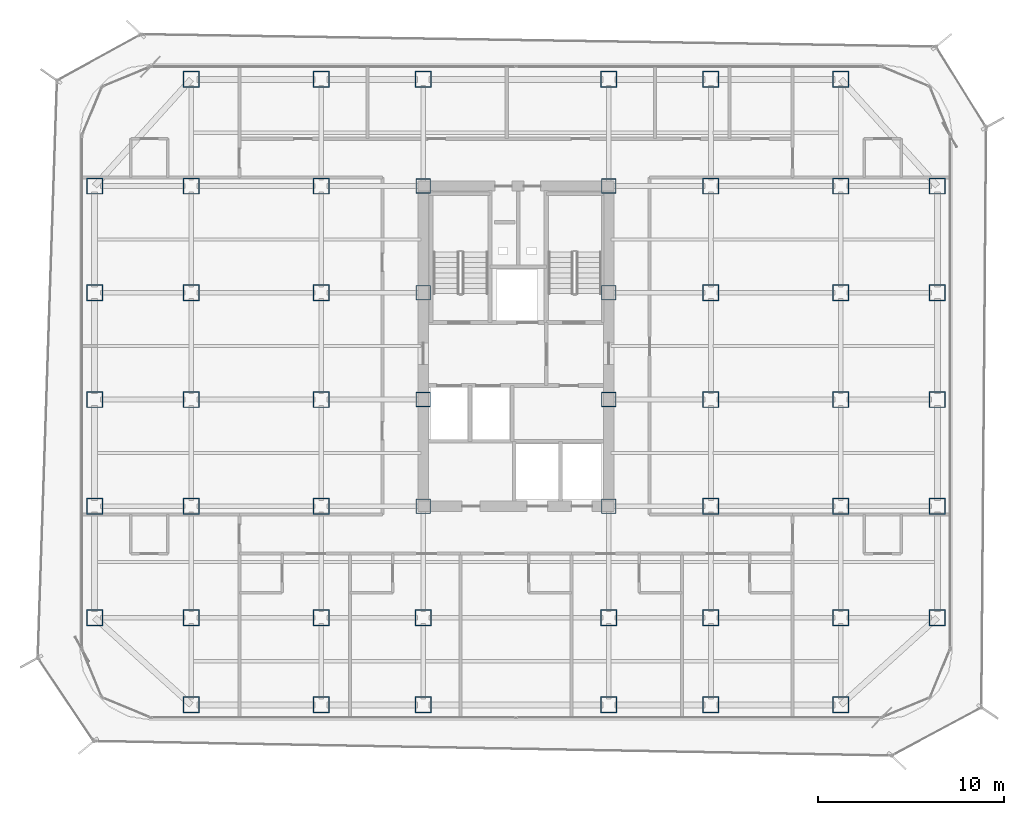
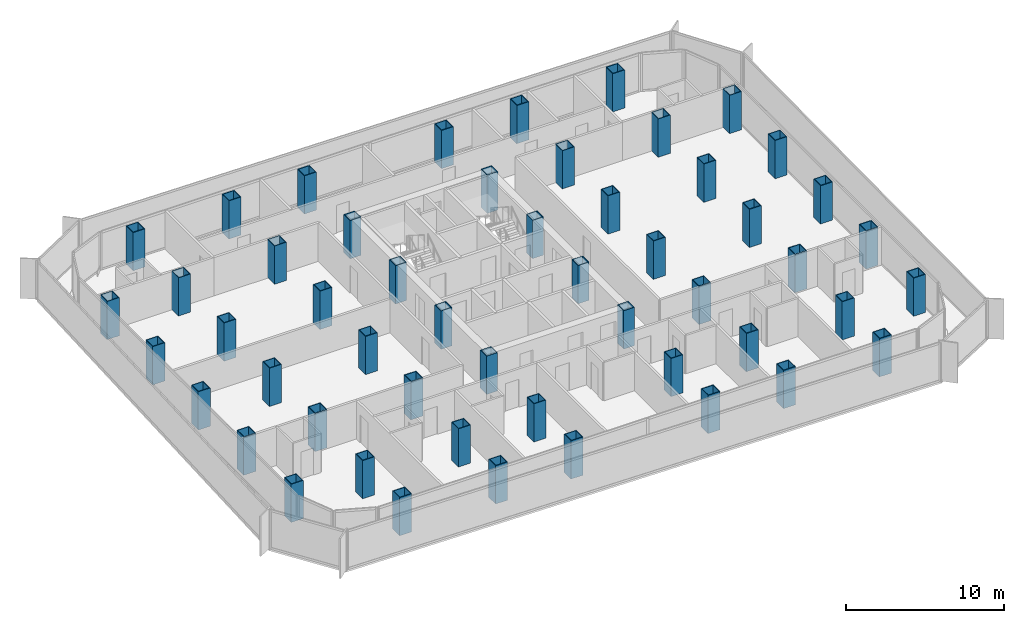
# One storey, part 1 of 21: 52 columns.
"""IFC4 building model written with IfcOpenShell, lengths in metres."""

from ifc_helpers import new_model, si_unit, direction, frame, origin, origin_2d, place, context, subcontext, project, spatial, hollow_rectangle, extrude, source, transform, mapped, material, material_profile, profile_set, type_object, element, save


model = new_model("IFC4")

# Units and contexts
model_context = context("Model", 3, precision=1e-05, world=origin(), true_north=direction((0.0, 1.0)))
body_context = subcontext(model_context, "Body", "Model", "MODEL_VIEW")
ifc_project = project(units=[si_unit("LENGTHUNIT", "METRE"), si_unit("AREAUNIT", "SQUARE_METRE"), si_unit("VOLUMEUNIT", "CUBIC_METRE"), si_unit("PLANEANGLEUNIT", "RADIAN"), si_unit("MASSUNIT", "GRAM", prefix="KILO")], contexts=[model_context])

# Site, building, storey
site_placement = place(None, origin())
site = spatial("IfcSite", under=ifc_project, at=site_placement, CompositionType="ELEMENT")
building_placement = place(site_placement, origin())
building = spatial("IfcBuilding", under=site, at=building_placement, Name="Kolveth Station Tower", CompositionType="ELEMENT")
storey_placement = place(building_placement, frame((0.0, 0.0, 111.89990234375)))
storey = spatial("IfcBuildingStorey", under=building, at=storey_placement, Name="L30", CompositionType="ELEMENT", Elevation=111.89990234375)

# Columns
ifc_material_1 = material(Name="Steel S460", Category="steel")
ifc_material_profile_1 = material_profile(ifc_material_1, hollow_rectangle(XDim=0.8798828125, YDim=0.8798828125, WallThickness=0.050048828125, at=origin_2d()), Name="BOX880x880x50")
ifc_profile_set_1 = profile_set([ifc_material_profile_1], Name="Steel S460")
column_type_1 = type_object("IfcColumnType", Name="Col_C4", PredefinedType="COLUMN", material=ifc_profile_set_1)
shared_shape_1 = source(origin(), body_context, "Body", "SweptSolid", [
    extrude(hollow_rectangle(XDim=0.8798828125, YDim=0.8798828125, WallThickness=0.050048828125, at=origin_2d()), origin(), (0.0, 0.0, 1.0), 2.9501953125),
])
for number, where, z_axis, x_axis, name in (
    (1, (6.0, 0.800048828125, 0.0), (0.0, 0.0, 1.0), (1.0, 0.0, 0.0), "L30 Tower Column S-X60"),
    (2, (6.0, 34.5, 0.0), (0.0, 0.0, 1.0), (1.0, 0.0, 0.0), "L30 Tower Column N-X60"),
    (3, (13.0, 0.800048828125, 0.0), (0.0, 0.0, 1.0), (1.0, 0.0, 0.0), "L30 Tower Column S-X130"),
    (4, (13.0, 34.5, 0.0), (0.0, 0.0, 1.0), (1.0, 0.0, 0.0), "L30 Tower Column N-X130"),
    (5, (18.5, 0.800048828125, 0.0), (0.0, 0.0, 1.0), (1.0, 0.0, 0.0), "L30 Tower Column S-X185"),
    (6, (18.5, 34.5, 0.0), (0.0, 0.0, 1.0), (1.0, 0.0, 0.0), "L30 Tower Column N-X185"),
    (7, (28.5, 0.800048828125, 0.0), (0.0, 0.0, 1.0), (1.0, 0.0, 0.0), "L30 Tower Column S-X285"),
    (8, (28.5, 34.5, 0.0), (0.0, 0.0, 1.0), (1.0, 0.0, 0.0), "L30 Tower Column N-X285"),
    (9, (34.0, 0.800048828125, 0.0), (0.0, 0.0, 1.0), (1.0, 0.0, 0.0), "L30 Tower Column S-X340"),
    (10, (34.0, 34.5, 0.0), (0.0, 0.0, 1.0), (1.0, 0.0, 0.0), "L30 Tower Column N-X340"),
    (11, (41.0, 0.800048828125, 0.0), (0.0, 0.0, 1.0), (1.0, 0.0, 0.0), "L30 Tower Column S-X410"),
    (12, (41.0, 34.5, 0.0), (0.0, 0.0, 1.0), (1.0, 0.0, 0.0), "L30 Tower Column N-X410"),
    (13, (0.800048828125, 5.5, 0.0), (0.0, 0.0, 1.0), (1.0, 0.0, 0.0), "L30 Tower Column W-Y55"),
    (14, (46.199951171875, 5.5, 0.0), (0.0, 0.0, 1.0), (1.0, 0.0, 0.0), "L30 Tower Column E-Y55"),
    (15, (0.800048828125, 11.5, 0.0), (0.0, 0.0, 1.0), (1.0, 0.0, 0.0), "L30 Tower Column W-Y115"),
    (16, (46.199951171875, 11.5, 0.0), (0.0, 0.0, 1.0), (1.0, 0.0, 0.0), "L30 Tower Column E-Y115"),
    (17, (0.800048828125, 17.25, 0.0), (0.0, 0.0, 1.0), (1.0, 0.0, 0.0), "L30 Tower Column W-Y172"),
    (18, (46.199951171875, 17.25, 0.0), (0.0, 0.0, 1.0), (1.0, 0.0, 0.0), "L30 Tower Column E-Y172"),
    (19, (0.800048828125, 23.0, 0.0), (0.0, 0.0, 1.0), (1.0, 0.0, 0.0), "L30 Tower Column W-Y230"),
    (20, (46.199951171875, 23.0, 0.0), (0.0, 0.0, 1.0), (1.0, 0.0, 0.0), "L30 Tower Column E-Y230"),
    (21, (0.800048828125, 28.75, 0.0), (0.0, 0.0, 1.0), (1.0, 0.0, 0.0), "L30 Tower Column W-Y287"),
    (22, (46.199951171875, 28.75, 0.0), (0.0, 0.0, 1.0), (1.0, 0.0, 0.0), "L30 Tower Column E-Y287"),
    (23, (6.0, 5.5, 0.0), (0.0, 0.0, 1.0), (1.0, 0.0, 0.0), "L30 Tower Column G-60-55"),
    (24, (6.0, 11.5, 0.0), (0.0, 0.0, 1.0), (1.0, 0.0, 0.0), "L30 Tower Column G-60-115"),
    (25, (6.0, 17.25, 0.0), (0.0, 0.0, 1.0), (1.0, 0.0, 0.0), "L30 Tower Column G-60-172"),
    (26, (6.0, 23.0, 0.0), (0.0, 0.0, 1.0), (1.0, 0.0, 0.0), "L30 Tower Column G-60-230"),
    (27, (6.0, 28.75, 0.0), (0.0, 0.0, 1.0), (1.0, 0.0, 0.0), "L30 Tower Column G-60-287"),
    (28, (13.0, 5.5, 0.0), (0.0, 0.0, 1.0), (1.0, 0.0, 0.0), "L30 Tower Column G-130-55"),
    (29, (13.0, 11.5, 0.0), (0.0, 0.0, 1.0), (1.0, 0.0, 0.0), "L30 Tower Column G-130-115"),
    (30, (13.0, 17.25, 0.0), (0.0, 0.0, 1.0), (1.0, 0.0, 0.0), "L30 Tower Column G-130-172"),
    (31, (13.0, 23.0, 0.0), (0.0, 0.0, 1.0), (1.0, 0.0, 0.0), "L30 Tower Column G-130-230"),
    (32, (13.0, 28.75, 0.0), (0.0, 0.0, 1.0), (1.0, 0.0, 0.0), "L30 Tower Column G-130-287"),
    (33, (18.5, 5.5, 0.0), (0.0, 0.0, 1.0), (1.0, 0.0, 0.0), "L30 Tower Column G-185-55"),
    (34, (28.5, 5.5, 0.0), (0.0, 0.0, 1.0), (1.0, 0.0, 0.0), "L30 Tower Column G-285-55"),
    (35, (34.0, 5.5, 0.0), (0.0, 0.0, 1.0), (1.0, 0.0, 0.0), "L30 Tower Column G-340-55"),
    (36, (34.0, 11.5, 0.0), (0.0, 0.0, 1.0), (1.0, 0.0, 0.0), "L30 Tower Column G-340-115"),
    (37, (34.0, 17.25, 0.0), (0.0, 0.0, 1.0), (1.0, 0.0, 0.0), "L30 Tower Column G-340-172"),
    (38, (34.0, 23.0, 0.0), (0.0, 0.0, 1.0), (1.0, 0.0, 0.0), "L30 Tower Column G-340-230"),
    (39, (34.0, 28.75, 0.0), (0.0, 0.0, 1.0), (1.0, 0.0, 0.0), "L30 Tower Column G-340-287"),
    (40, (41.0, 5.5, 0.0), (0.0, 0.0, 1.0), (1.0, 0.0, 0.0), "L30 Tower Column G-410-55"),
    (41, (41.0, 11.5, 0.0), (0.0, 0.0, 1.0), (1.0, 0.0, 0.0), "L30 Tower Column G-410-115"),
    (42, (41.0, 17.25, 0.0), (0.0, 0.0, 1.0), (1.0, 0.0, 0.0), "L30 Tower Column G-410-172"),
    (43, (41.0, 23.0, 0.0), (0.0, 0.0, 1.0), (1.0, 0.0, 0.0), "L30 Tower Column G-410-230"),
    (44, (41.0, 28.75, 0.0), (0.0, 0.0, 1.0), (1.0, 0.0, 0.0), "L30 Tower Column G-410-287"),
):
    element("IfcColumn", number, at=place(storey_placement, frame(where, z_axis=z_axis, x_axis=x_axis)), inside=storey, type_object=column_type_1, Name=name, PredefinedType="COLUMN", context=body_context, shape_type="MappedRepresentation", body=[
        mapped(shared_shape_1, transform((0.0, 0.0, 0.0), x_axis=(1.0, 0.0, 0.0), y_axis=(0.0, 1.0, 0.0), z_axis=(0.0, 0.0, 1.0), scale=1.0)),
    ])
ifc_material_2 = material(Name="Steel S355", Category="steel")
ifc_material_profile_2 = material_profile(ifc_material_2, hollow_rectangle(XDim=0.800048828125, YDim=0.800048828125, WallThickness=0.044921875, at=origin_2d()), Name="BOX800x800x45")
ifc_profile_set_2 = profile_set([ifc_material_profile_2], Name="Steel S355")
column_type_2 = type_object("IfcColumnType", Name="Col_C5", PredefinedType="COLUMN", material=ifc_profile_set_2)
shared_shape_2 = source(origin(), body_context, "Body", "SweptSolid", [
    extrude(hollow_rectangle(XDim=0.800048828125, YDim=0.800048828125, WallThickness=0.044921875, at=origin_2d()), origin(), (0.0, 0.0, 1.0), 2.9501953125),
])
for number, where, z_axis, x_axis, name in (
    (45, (18.5, 11.5, 0.0), (0.0, 0.0, 1.0), (1.0, 0.0, 0.0), "L30 Tower Column G-185-115"),
    (46, (18.5, 17.25, 0.0), (0.0, 0.0, 1.0), (1.0, 0.0, 0.0), "L30 Tower Column G-185-172"),
    (47, (18.5, 23.0, 0.0), (0.0, 0.0, 1.0), (1.0, 0.0, 0.0), "L30 Tower Column G-185-230"),
    (48, (18.5, 28.75, 0.0), (0.0, 0.0, 1.0), (1.0, 0.0, 0.0), "L30 Tower Column G-185-287"),
    (49, (28.5, 11.5, 0.0), (0.0, 0.0, 1.0), (1.0, 0.0, 0.0), "L30 Tower Column G-285-115"),
    (50, (28.5, 17.25, 0.0), (0.0, 0.0, 1.0), (1.0, 0.0, 0.0), "L30 Tower Column G-285-172"),
    (51, (28.5, 23.0, 0.0), (0.0, 0.0, 1.0), (1.0, 0.0, 0.0), "L30 Tower Column G-285-230"),
    (52, (28.5, 28.75, 0.0), (0.0, 0.0, 1.0), (1.0, 0.0, 0.0), "L30 Tower Column G-285-287"),
):
    element("IfcColumn", number, at=place(storey_placement, frame(where, z_axis=z_axis, x_axis=x_axis)), inside=storey, type_object=column_type_2, Name=name, PredefinedType="COLUMN", context=body_context, shape_type="MappedRepresentation", body=[
        mapped(shared_shape_2, transform((0.0, 0.0, 0.0), x_axis=(1.0, 0.0, 0.0), y_axis=(0.0, 1.0, 0.0), z_axis=(0.0, 0.0, 1.0), scale=1.0)),
    ])

save(model, "model.ifc")
